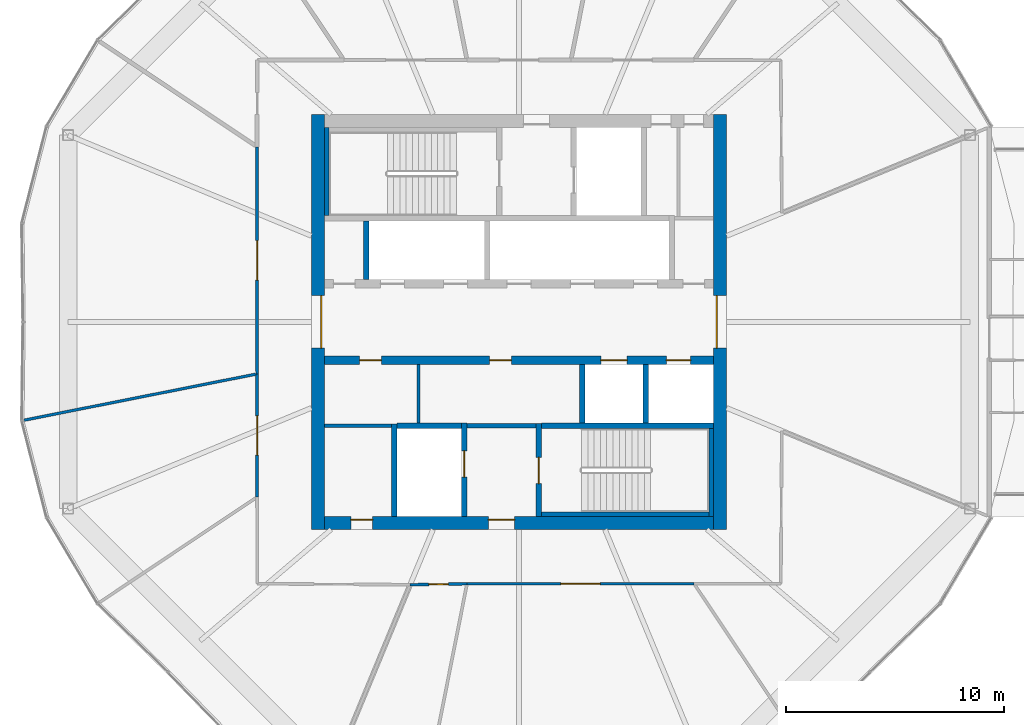
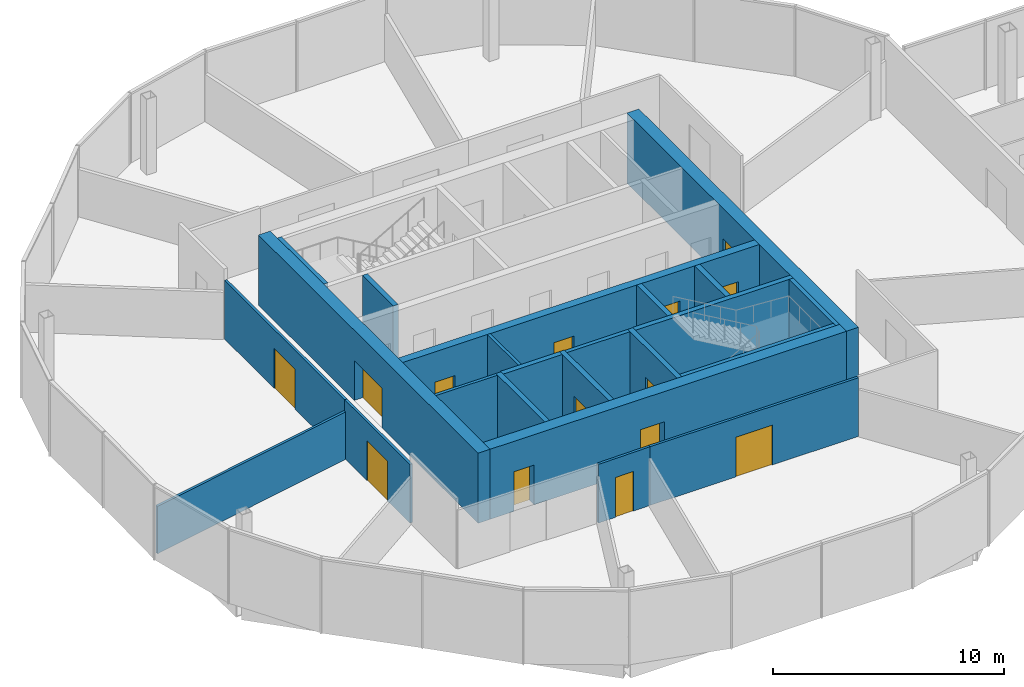
# One storey, part 19 of 25: 23 walls, 14 doors, 14 openings.
"""IFC4 building model written with IfcOpenShell, lengths in metres."""

from ifc_helpers import new_model, si_unit, direction, frame, frame_2d, origin, place, context, subcontext, project, spatial, rectangle, extrude, material, layer, layer_set, type_object, element, fill, save


model = new_model("IFC4")

# Units and contexts
model_context = context("Model", 3, precision=1e-05, world=origin(), true_north=direction((0.0, 1.0)))
body_context = subcontext(model_context, "Body", "Model", "MODEL_VIEW")
ifc_project = project(units=[si_unit("LENGTHUNIT", "METRE"), si_unit("AREAUNIT", "SQUARE_METRE"), si_unit("VOLUMEUNIT", "CUBIC_METRE"), si_unit("PLANEANGLEUNIT", "RADIAN"), si_unit("MASSUNIT", "GRAM", prefix="KILO")], contexts=[model_context])

# Site, building, storey
site_placement = place(None, origin())
site = spatial("IfcSite", under=ifc_project, at=site_placement, CompositionType="ELEMENT")
building_placement = place(site_placement, origin())
building = spatial("IfcBuilding", under=site, at=building_placement, Name="Ogive Gate Towers", CompositionType="ELEMENT")
storey_placement = place(building_placement, frame((0.0, 0.0, 144.800048828125)))
storey = spatial("IfcBuildingStorey", under=building, at=storey_placement, Name="L34", CompositionType="ELEMENT", Elevation=144.800048828125)

# Wall
ifc_material_1 = material(Name="Masonry blockwork", Category="masonry")
ifc_layer_1 = layer(ifc_material_1, 0.199951171875)
ifc_layer_set_1 = layer_set([ifc_layer_1], Name="Blockwork wall 200 mm")
wall_type_1 = type_object("IfcWallType", Name="Blockwork wall 200 mm", PredefinedType="PARTITIONING", material=ifc_layer_set_1)
wall_1_placement = place(storey_placement, frame((-38.375, -4.75, 0.0), z_axis=(0.0, 0.0, 1.0), x_axis=(1.0, 0.0, 0.0)))
element("IfcWall", 1, at=wall_1_placement, inside=storey, type_object=wall_type_1, Name="T1 L34 Blockwork wall 200 mm", PredefinedType="PARTITIONING", context=body_context, shape_type="SweptSolid", body=[
    extrude(rectangle(XDim=3.14990234375, YDim=0.199951171875, at=frame_2d((1.574951171875, 0.0))), origin(), (0.0, 0.0, 1.0), 3.699951171875),
])

# Wall, openings, doors
ifc_material_2 = material(Name="Concrete C60/75", Category="concrete")
ifc_layer_2 = layer(ifc_material_2, 0.60009765625)
ifc_layer_set_2 = layer_set([ifc_layer_2], Name="Core wall 600 mm")
wall_type_2 = type_object("IfcWallType", Name="Core wall 600 mm", PredefinedType="SHEAR", material=ifc_layer_set_2)
wall_2_placement = place(storey_placement, frame((-44.89990234375, -9.199951171875, 0.0), z_axis=(0.0, 0.0, 1.0), x_axis=(1.0, 0.0, 0.0)))
wall_2 = element("IfcWall", 2, at=wall_2_placement, inside=storey, type_object=wall_type_2, Name="T1 L34 Core wall 600 mm", PredefinedType="SHEAR", context=body_context, shape_type="SweptSolid", body=[
    extrude(rectangle(XDim=17.7998046875, YDim=0.60009765625, at=frame_2d((8.89990234375, 0.0))), origin(), (0.0, 0.0, 1.0), 3.699951171875),
])
opening_1_placement = place(wall_2_placement, frame((7.5, 0.0, 0.0)))
opening_1 = element("IfcOpeningElement", 3, at=opening_1_placement, cuts=wall_2, Name="Opening KD-T1-L34-19", PredefinedType="OPENING", context=body_context, shape_type="SweptSolid", body=[
    extrude(rectangle(XDim=1.199951171875, YDim=2.10009765625, at=frame_2d((0.60009765625, 1.050048828125))), frame((0.0, 0.31005859375, 0.0), z_axis=(0.0, -1.0, 0.0), x_axis=(1.0, 0.0, 0.0)), (0.0, 0.0, 1.0), 0.6201171875),
])
opening_2_placement = place(wall_2_placement, frame((1.199951171875, 0.0, 0.0)))
opening_2 = element("IfcOpeningElement", 4, at=opening_2_placement, cuts=wall_2, Name="Opening KD-T1-L34-22", PredefinedType="OPENING", context=body_context, shape_type="SweptSolid", body=[
    extrude(rectangle(XDim=1.0, YDim=2.10009765625, at=frame_2d((0.5, 1.050048828125))), frame((0.0, 0.31005859375, 0.0), z_axis=(0.0, -1.0, 0.0), x_axis=(1.0, 0.0, 0.0)), (0.0, 0.0, 1.0), 0.6201171875),
])
ifc_material_3 = material(Name="Timber door", Category="wood")
door_type_1 = type_object("IfcDoorType", Name="Accessible WC door 1000 x 2100", OperationType="NOTDEFINED", PredefinedType="DOOR", material=ifc_material_3)
door_1_placement = place(opening_2_placement, origin())
door_1 = element("IfcDoor", 5, at=door_1_placement, inside=storey, type_object=door_type_1, Name="T1 L34 Core door", OperationType="SINGLE_SWING_LEFT", OverallHeight=2.10009765625, OverallWidth=1.0, PredefinedType="DOOR", context=body_context, shape_type="SweptSolid", body=[
    extrude(rectangle(XDim=1.0, YDim=2.10009765625, at=frame_2d((0.5, 1.050048828125))), frame((0.0, 0.1748046875, 0.0), z_axis=(0.0, -1.0, 0.0), x_axis=(1.0, 0.0, 0.0)), (0.0, 0.0, 1.0), 0.050048828125),
])
fill(opening_2, door_1)
ifc_material_4 = material(Name="Steel fire door", Category="steel")
door_type_2 = type_object("IfcDoorType", Name="Core door FD60S 1200 x 2100", OperationType="NOTDEFINED", PredefinedType="DOOR", material=ifc_material_4)
door_2_placement = place(opening_1_placement, origin())
door_2 = element("IfcDoor", 6, at=door_2_placement, inside=storey, type_object=door_type_2, Name="T1 L34 Fire-fighting lobby door", OperationType="SINGLE_SWING_RIGHT", OverallHeight=2.10009765625, OverallWidth=1.199951171875, PredefinedType="DOOR", context=body_context, shape_type="SweptSolid", body=[
    extrude(rectangle(XDim=1.199951171875, YDim=2.10009765625, at=frame_2d((0.60009765625, 1.050048828125))), frame((0.0, 0.1748046875, 0.0), z_axis=(0.0, -1.0, 0.0), x_axis=(1.0, 0.0, 0.0)), (0.0, 0.0, 1.0), 0.050048828125),
])
fill(opening_1, door_2)

# Wall, opening, door
wall_3_placement = place(storey_placement, frame((-45.199951171875, -9.5, 0.0), z_axis=(0.0, 0.0, 1.0), x_axis=(0.0, 1.0, 0.0)))
wall_3 = element("IfcWall", 7, at=wall_3_placement, inside=storey, type_object=wall_type_2, Name="T1 L34 Core wall 600 mm", PredefinedType="SHEAR", context=body_context, shape_type="SweptSolid", body=[
    extrude(rectangle(XDim=19.0, YDim=0.60009765625, at=frame_2d((9.5, 0.0))), origin(), (0.0, 0.0, 1.0), 3.699951171875),
])
opening_3_placement = place(wall_3_placement, frame((8.300048828125, 0.0, 0.0)))
opening_3 = element("IfcOpeningElement", 8, at=opening_3_placement, cuts=wall_3, Name="Opening KD-T1-L34-01", PredefinedType="OPENING", context=body_context, shape_type="SweptSolid", body=[
    extrude(rectangle(XDim=2.39990234375, YDim=2.10009765625, at=frame_2d((1.199951171875, 1.050048828125))), frame((0.0, 0.31005859375, 0.0), z_axis=(0.0, -1.0, 0.0), x_axis=(1.0, 0.0, 0.0)), (0.0, 0.0, 1.0), 0.6201171875),
])
door_type_3 = type_object("IfcDoorType", Name="Core double door FD60S 2400 x 2100", OperationType="DOUBLE_DOOR_SINGLE_SWING", PredefinedType="DOOR", material=ifc_material_4)
door_3_placement = place(opening_3_placement, origin())
door_3 = element("IfcDoor", 9, at=door_3_placement, inside=storey, type_object=door_type_3, Name="T1 L34 Core door double", OperationType="DOUBLE_DOOR_SINGLE_SWING", OverallHeight=2.10009765625, OverallWidth=2.39990234375, PredefinedType="DOOR", context=body_context, shape_type="SweptSolid", body=[
    extrude(rectangle(XDim=2.39990234375, YDim=2.10009765625, at=frame_2d((1.199951171875, 1.050048828125))), frame((0.0, -0.125, 0.0), z_axis=(0.0, -1.0, 0.0), x_axis=(1.0, 0.0, 0.0)), (0.0, 0.0, 1.0), 0.050048828125),
])
fill(opening_3, door_3)

wall_4_placement = place(storey_placement, frame((-26.800048828125, -9.5, 0.0), z_axis=(0.0, 0.0, 1.0), x_axis=(0.0, 1.0, 0.0)))
wall_4 = element("IfcWall", 10, at=wall_4_placement, inside=storey, type_object=wall_type_2, Name="T1 L34 Core wall 600 mm", PredefinedType="SHEAR", context=body_context, shape_type="SweptSolid", body=[
    extrude(rectangle(XDim=19.0, YDim=0.60009765625, at=frame_2d((9.5, 0.0))), origin(), (0.0, 0.0, 1.0), 3.699951171875),
])
opening_4_placement = place(wall_4_placement, frame((8.300048828125, 0.0, 0.0)))
opening_4 = element("IfcOpeningElement", 11, at=opening_4_placement, cuts=wall_4, Name="Opening KD-T1-L34-02", PredefinedType="OPENING", context=body_context, shape_type="SweptSolid", body=[
    extrude(rectangle(XDim=2.39990234375, YDim=2.10009765625, at=frame_2d((1.199951171875, 1.050048828125))), frame((0.0, 0.31005859375, 0.0), z_axis=(0.0, -1.0, 0.0), x_axis=(1.0, 0.0, 0.0)), (0.0, 0.0, 1.0), 0.6201171875),
])
door_4_placement = place(opening_4_placement, origin())
door_4 = element("IfcDoor", 12, at=door_4_placement, inside=storey, type_object=door_type_3, Name="T1 L34 Core door double", OperationType="DOUBLE_DOOR_SINGLE_SWING", OverallHeight=2.10009765625, OverallWidth=2.39990234375, PredefinedType="DOOR", context=body_context, shape_type="SweptSolid", body=[
    extrude(rectangle(XDim=2.39990234375, YDim=2.10009765625, at=frame_2d((1.199951171875, 1.050048828125))), frame((0.0, 0.1748046875, 0.0), z_axis=(0.0, -1.0, 0.0), x_axis=(1.0, 0.0, 0.0)), (0.0, 0.0, 1.0), 0.050048828125),
])
fill(opening_4, door_4)

# Wall
ifc_material_5 = material(Name="Gypsum board partition")
ifc_layer_3 = layer(ifc_material_5, 0.125)
ifc_layer_set_3 = layer_set([ifc_layer_3], Name="Partition 125")
wall_type_3 = type_object("IfcWallType", Name="Partition 125", PredefinedType="PARTITIONING", material=ifc_layer_set_3)
wall_5_placement = place(storey_placement, frame((-58.6572265625, -4.498779296875, 0.0), z_axis=(0.0, 0.0, 1.0), x_axis=(0.980854043256, 0.194744308846, 0.0)))
element("IfcWall", 13, at=wall_5_placement, inside=storey, type_object=wall_type_3, Name="Partition T1-L34-007", PredefinedType="PARTITIONING", context=body_context, shape_type="SweptSolid", body=[
    extrude(rectangle(XDim=10.81640625, YDim=0.125, at=frame_2d((5.408203125, 0.0))), origin(), (0.0, 0.0, 1.0), 2.5),
])

# Wall, opening, door
wall_6_placement = place(storey_placement, frame((-47.987548828125, 8.015625, 0.0), z_axis=(0.0, 0.0, 1.0), x_axis=(9.3938611e-05, -0.999999995588, 0.0)))
wall_6 = element("IfcWall", 14, at=wall_6_placement, inside=storey, type_object=wall_type_3, Name="Partition T1-L34-020", PredefinedType="PARTITIONING", context=body_context, shape_type="SweptSolid", body=[
    extrude(rectangle(XDim=10.395751953125, YDim=0.125, at=frame_2d((5.19775390625, 0.0))), origin(), (0.0, 0.0, 1.0), 3.099853515625),
])
opening_5_placement = place(wall_6_placement, frame((4.298095703125, 0.0, 0.0)))
opening_5 = element("IfcOpeningElement", 15, at=opening_5_placement, cuts=wall_6, Name="Opening T1-L34-D06", PredefinedType="OPENING", context=body_context, shape_type="SweptSolid", body=[
    extrude(rectangle(XDim=1.800048828125, YDim=2.10009765625, at=frame_2d((0.89990234375, 1.050048828125))), frame((0.0, 0.072509765625, 0.0), z_axis=(0.0, -1.0, 0.0), x_axis=(1.0, 0.0, 0.0)), (0.0, 0.0, 1.0), 0.14501953125),
])
door_type_4 = type_object("IfcDoorType", Name="Door pair 1800", OperationType="NOTDEFINED", PredefinedType="DOOR", material=ifc_material_3)
door_5_placement = place(opening_5_placement, origin())
door_5 = element("IfcDoor", 16, at=door_5_placement, inside=storey, type_object=door_type_4, Name="Door T1-L34-D06", OperationType="DOUBLE_DOOR_DOUBLE_SWING", OverallHeight=2.10009765625, OverallWidth=1.800048828125, PredefinedType="DOOR", context=body_context, shape_type="SweptSolid", body=[
    extrude(rectangle(XDim=1.800048828125, YDim=2.10009765625, at=frame_2d((0.89990234375, 1.050048828125))), frame((0.0, 0.02490234375, 0.0), z_axis=(0.0, -1.0, 0.0), x_axis=(1.0, 0.0, 0.0)), (0.0, 0.0, 1.0), 0.050048828125),
])
fill(opening_5, door_5)

wall_7_placement = place(storey_placement, frame((-47.986572265625, -2.380126953125, 0.0), z_axis=(0.0, 0.0, 1.0), x_axis=(-0.000173287698, -0.999999984986, 0.0)))
wall_7 = element("IfcWall", 17, at=wall_7_placement, inside=storey, type_object=wall_type_3, Name="Partition T1-L34-021", PredefinedType="PARTITIONING", context=body_context, shape_type="SweptSolid", body=[
    extrude(rectangle(XDim=5.635498046875, YDim=0.125, at=frame_2d((2.81787109375, 0.0))), origin(), (0.0, 0.0, 1.0), 3.099853515625),
])
opening_6_placement = place(wall_7_placement, frame((1.91796875, 0.0, 0.0)))
opening_6 = element("IfcOpeningElement", 18, at=opening_6_placement, cuts=wall_7, Name="Opening T1-L34-D07", PredefinedType="OPENING", context=body_context, shape_type="SweptSolid", body=[
    extrude(rectangle(XDim=1.800048828125, YDim=2.10009765625, at=frame_2d((0.89990234375, 1.050048828125))), frame((0.0, 0.072509765625, 0.0), z_axis=(0.0, -1.0, 0.0), x_axis=(1.0, 0.0, 0.0)), (0.0, 0.0, 1.0), 0.14501953125),
])
door_6_placement = place(opening_6_placement, origin())
door_6 = element("IfcDoor", 19, at=door_6_placement, inside=storey, type_object=door_type_4, Name="Door T1-L34-D07", OperationType="DOUBLE_DOOR_DOUBLE_SWING", OverallHeight=2.10009765625, OverallWidth=1.800048828125, PredefinedType="DOOR", context=body_context, shape_type="SweptSolid", body=[
    extrude(rectangle(XDim=1.800048828125, YDim=2.10009765625, at=frame_2d((0.89990234375, 1.050048828125))), frame((0.0, 0.02490234375, 0.0), z_axis=(0.0, -1.0, 0.0), x_axis=(1.0, 0.0, 0.0)), (0.0, 0.0, 1.0), 0.050048828125),
])
fill(opening_6, door_6)

wall_8_placement = place(storey_placement, frame((-40.98291015625, -12.02978515625, 0.0), z_axis=(0.0, 0.0, 1.0), x_axis=(0.999862205819, 0.016600282378, 0.0)))
wall_8 = element("IfcWall", 20, at=wall_8_placement, inside=storey, type_object=wall_type_3, Name="Partition T1-L34-024", PredefinedType="PARTITIONING", context=body_context, shape_type="SweptSolid", body=[
    extrude(rectangle(XDim=2.60302734375, YDim=0.125, at=frame_2d((1.301513671875, 0.0))), origin(), (0.0, 0.0, 1.0), 3.099853515625),
])
opening_7_placement = place(wall_8_placement, frame((0.85205078125, 0.0, 0.0)))
opening_7 = element("IfcOpeningElement", 21, at=opening_7_placement, cuts=wall_8, Name="Opening T1-L34-D09", PredefinedType="OPENING", context=body_context, shape_type="SweptSolid", body=[
    extrude(rectangle(XDim=0.89990234375, YDim=2.10009765625, at=frame_2d((0.449951171875, 1.050048828125))), frame((0.0, 0.072509765625, 0.0), z_axis=(0.0, -1.0, 0.0), x_axis=(1.0, 0.0, 0.0)), (0.0, 0.0, 1.0), 0.14501953125),
])
door_type_5 = type_object("IfcDoorType", Name="Door 900", OperationType="NOTDEFINED", PredefinedType="DOOR", material=ifc_material_3)
door_7_placement = place(opening_7_placement, origin())
door_7 = element("IfcDoor", 22, at=door_7_placement, inside=storey, type_object=door_type_5, Name="Door T1-L34-D09", OperationType="SINGLE_SWING_LEFT", OverallHeight=2.10009765625, OverallWidth=0.89990234375, PredefinedType="DOOR", context=body_context, shape_type="SweptSolid", body=[
    extrude(rectangle(XDim=0.89990234375, YDim=2.10009765625, at=frame_2d((0.449951171875, 1.050048828125))), frame((0.0, 0.02490234375, 0.0), z_axis=(0.0, -1.0, 0.0), x_axis=(1.0, 0.0, 0.0)), (0.0, 0.0, 1.0), 0.050048828125),
])
fill(opening_7, door_7)

wall_9_placement = place(storey_placement, frame((-38.380126953125, -11.986572265625, 0.0), z_axis=(0.0, 0.0, 1.0), x_axis=(0.999999995588, -9.3938611e-05, 0.0)))
wall_9 = element("IfcWall", 23, at=wall_9_placement, inside=storey, type_object=wall_type_3, Name="Partition T1-L34-025", PredefinedType="PARTITIONING", context=body_context, shape_type="SweptSolid", body=[
    extrude(rectangle(XDim=10.395751953125, YDim=0.125, at=frame_2d((5.19775390625, 0.0))), origin(), (0.0, 0.0, 1.0), 3.099853515625),
])
opening_8_placement = place(wall_9_placement, frame((4.298095703125, 0.0, 0.0)))
opening_8 = element("IfcOpeningElement", 24, at=opening_8_placement, cuts=wall_9, Name="Opening T1-L34-D10", PredefinedType="OPENING", context=body_context, shape_type="SweptSolid", body=[
    extrude(rectangle(XDim=1.800048828125, YDim=2.10009765625, at=frame_2d((0.89990234375, 1.050048828125))), frame((0.0, 0.072509765625, 0.0), z_axis=(0.0, -1.0, 0.0), x_axis=(1.0, 0.0, 0.0)), (0.0, 0.0, 1.0), 0.14501953125),
])
door_8_placement = place(opening_8_placement, origin())
door_8 = element("IfcDoor", 25, at=door_8_placement, inside=storey, type_object=door_type_4, Name="Door T1-L34-D10", OperationType="DOUBLE_DOOR_DOUBLE_SWING", OverallHeight=2.10009765625, OverallWidth=1.800048828125, PredefinedType="DOOR", context=body_context, shape_type="SweptSolid", body=[
    extrude(rectangle(XDim=1.800048828125, YDim=2.10009765625, at=frame_2d((0.89990234375, 1.050048828125))), frame((0.0, 0.02490234375, 0.0), z_axis=(0.0, -1.0, 0.0), x_axis=(1.0, 0.0, 0.0)), (0.0, 0.0, 1.0), 0.050048828125),
])
fill(opening_8, door_8)

# Walls
ifc_layer_4 = layer(ifc_material_5, 0.14990234375)
ifc_layer_set_4 = layer_set([ifc_layer_4], Name="Room partition 150 mm")
wall_type_4 = type_object("IfcWallType", Name="Room partition 150 mm", PredefinedType="PARTITIONING", material=ifc_layer_set_4)
wall_10_placement = place(storey_placement, frame((-44.89990234375, -4.75, 0.0), z_axis=(0.0, 0.0, 1.0), x_axis=(1.0, 0.0, 0.0)))
element("IfcWall", 26, at=wall_10_placement, inside=storey, type_object=wall_type_4, Name="T1 L34 Room partition 150 mm", PredefinedType="PARTITIONING", context=body_context, shape_type="SweptSolid", body=[
    extrude(rectangle(XDim=3.074951171875, YDim=0.14990234375, at=frame_2d((1.53759765625, 0.0))), origin(), (0.0, 0.0, 1.0), 3.699951171875),
])
wall_11_placement = place(storey_placement, frame((-40.60009765625, -4.625, 0.0), z_axis=(0.0, 0.0, 1.0), x_axis=(0.0, 1.0, 0.0)))
element("IfcWall", 27, at=wall_11_placement, inside=storey, type_object=wall_type_4, Name="T1 L34 Room partition 150 mm", PredefinedType="PARTITIONING", context=body_context, shape_type="SweptSolid", body=[
    extrude(rectangle(XDim=2.675048828125, YDim=0.14990234375, at=frame_2d((1.33740234375, 0.0))), origin(), (0.0, 0.0, 1.0), 3.699951171875),
])
ifc_layer_5 = layer(ifc_material_2, 0.25)
ifc_layer_set_5 = layer_set([ifc_layer_5], Name="Shaft wall 250 mm")
wall_type_5 = type_object("IfcWallType", Name="Shaft wall 250 mm", PredefinedType="SHEAR", material=ifc_layer_set_5)
wall_12_placement = place(storey_placement, frame((-41.574951171875, -4.75, 0.0), z_axis=(0.0, 0.0, 1.0), x_axis=(1.0, 0.0, 0.0)))
element("IfcWall", 28, at=wall_12_placement, inside=storey, type_object=wall_type_5, Name="T1 L34 Shaft wall 250 mm", PredefinedType="SHEAR", context=body_context, shape_type="SweptSolid", body=[
    extrude(rectangle(XDim=2.949951171875, YDim=0.25, at=frame_2d((1.47509765625, 0.0))), origin(), (0.0, 0.0, 1.0), 3.699951171875),
])
wall_13_placement = place(storey_placement, frame((-34.97509765625, -4.75, 0.0), z_axis=(0.0, 0.0, 1.0), x_axis=(1.0, 0.0, 0.0)))
element("IfcWall", 29, at=wall_13_placement, inside=storey, type_object=wall_type_5, Name="T1 L34 Shaft wall 250 mm", PredefinedType="SHEAR", context=body_context, shape_type="SweptSolid", body=[
    extrude(rectangle(XDim=7.875, YDim=0.25, at=frame_2d((3.9375, 0.0))), origin(), (0.0, 0.0, 1.0), 3.699951171875),
])
wall_14_placement = place(storey_placement, frame((-43.0, 1.949951171875, 0.0), z_axis=(0.0, 0.0, 1.0), x_axis=(0.0, 1.0, 0.0)))
element("IfcWall", 30, at=wall_14_placement, inside=storey, type_object=wall_type_5, Name="T1 L34 Shaft wall 250 mm", PredefinedType="SHEAR", context=body_context, shape_type="SweptSolid", body=[
    extrude(rectangle(XDim=2.675048828125, YDim=0.25, at=frame_2d((1.33740234375, 0.0))), origin(), (0.0, 0.0, 1.0), 3.699951171875),
])
wall_15_placement = place(storey_placement, frame((-41.699951171875, -8.89990234375, 0.0), z_axis=(0.0, 0.0, 1.0), x_axis=(0.0, 1.0, 0.0)))
element("IfcWall", 31, at=wall_15_placement, inside=storey, type_object=wall_type_5, Name="T1 L34 Shaft wall 250 mm", PredefinedType="SHEAR", context=body_context, shape_type="SweptSolid", body=[
    extrude(rectangle(XDim=4.224853515625, YDim=0.25, at=frame_2d((2.1123046875, 0.0))), origin(), (0.0, 0.0, 1.0), 3.699951171875),
])

# Wall, opening, door
wall_16_placement = place(storey_placement, frame((-38.5, -8.89990234375, 0.0), z_axis=(0.0, 0.0, 1.0), x_axis=(0.0, 1.0, 0.0)))
wall_16 = element("IfcWall", 32, at=wall_16_placement, inside=storey, type_object=wall_type_5, Name="T1 L34 Shaft wall 250 mm", PredefinedType="SHEAR", context=body_context, shape_type="SweptSolid", body=[
    extrude(rectangle(XDim=4.27490234375, YDim=0.25, at=frame_2d((2.137451171875, 0.0))), origin(), (0.0, 0.0, 1.0), 3.699951171875),
])
opening_9_placement = place(wall_16_placement, frame((1.800048828125, 0.0, 0.0)))
opening_9 = element("IfcOpeningElement", 33, at=opening_9_placement, cuts=wall_16, Name="Opening LD-T1-L34-13", PredefinedType="OPENING", context=body_context, shape_type="SweptSolid", body=[
    extrude(rectangle(XDim=1.199951171875, YDim=2.10009765625, at=frame_2d((0.60009765625, 1.050048828125))), frame((0.0, 0.135009765625, 0.0), z_axis=(0.0, -1.0, 0.0), x_axis=(1.0, 0.0, 0.0)), (0.0, 0.0, 1.0), 0.27001953125),
])
ifc_material_6 = material(Name="Stainless steel landing door", Category="steel")
door_type_6 = type_object("IfcDoorType", Name="Landing door 1200 x 2100", OperationType="SLIDING_TO_LEFT", PredefinedType="DOOR", material=ifc_material_6)
door_9_placement = place(opening_9_placement, origin())
door_9 = element("IfcDoor", 34, at=door_9_placement, inside=storey, type_object=door_type_6, Name="T1 L34 Lift landing door FF2", OperationType="SLIDING_TO_LEFT", OverallHeight=2.10009765625, OverallWidth=1.199951171875, PredefinedType="DOOR", context=body_context, shape_type="SweptSolid", body=[
    extrude(rectangle(XDim=1.199951171875, YDim=2.10009765625, at=frame_2d((0.60009765625, 1.050048828125))), frame((0.0, 0.02490234375, 0.0), z_axis=(0.0, -1.0, 0.0), x_axis=(1.0, 0.0, 0.0)), (0.0, 0.0, 1.0), 0.050048828125),
])
fill(opening_9, door_9)

wall_17_placement = place(storey_placement, frame((-35.10009765625, -8.89990234375, 0.0), z_axis=(0.0, 0.0, 1.0), x_axis=(0.0, 1.0, 0.0)))
wall_17 = element("IfcWall", 35, at=wall_17_placement, inside=storey, type_object=wall_type_5, Name="T1 L34 Shaft wall 250 mm", PredefinedType="SHEAR", context=body_context, shape_type="SweptSolid", body=[
    extrude(rectangle(XDim=4.25, YDim=0.25, at=frame_2d((2.125, 0.0))), origin(), (0.0, 0.0, 1.0), 3.699951171875),
])
opening_10_placement = place(wall_17_placement, frame((1.5, 0.0, 0.0)))
opening_10 = element("IfcOpeningElement", 36, at=opening_10_placement, cuts=wall_17, Name="Opening KD-T1-L34-17", PredefinedType="OPENING", context=body_context, shape_type="SweptSolid", body=[
    extrude(rectangle(XDim=1.199951171875, YDim=2.10009765625, at=frame_2d((0.60009765625, 1.050048828125))), frame((0.0, 0.135009765625, 0.0), z_axis=(0.0, -1.0, 0.0), x_axis=(1.0, 0.0, 0.0)), (0.0, 0.0, 1.0), 0.27001953125),
])
door_10_placement = place(opening_10_placement, origin())
door_10 = element("IfcDoor", 37, at=door_10_placement, inside=storey, type_object=door_type_2, Name="T1 L34 Stair door", OperationType="SINGLE_SWING_RIGHT", OverallHeight=2.10009765625, OverallWidth=1.199951171875, PredefinedType="DOOR", context=body_context, shape_type="SweptSolid", body=[
    extrude(rectangle(XDim=1.199951171875, YDim=2.10009765625, at=frame_2d((0.60009765625, 1.050048828125))), frame((0.0, 0.02490234375, 0.0), z_axis=(0.0, -1.0, 0.0), x_axis=(1.0, 0.0, 0.0)), (0.0, 0.0, 1.0), 0.050048828125),
])
fill(opening_10, door_10)

# Walls
for number, where, z_axis, x_axis, name in (
    (38, (-33.10009765625, -4.625, 0.0), (0.0, 0.0, 1.0), (0.0, 1.0, 0.0), "T1 L34 Shaft wall 250 mm"),
    (39, (-30.199951171875, -4.625, 0.0), (0.0, 0.0, 1.0), (0.0, 1.0, 0.0), "T1 L34 Shaft wall 250 mm"),
):
    element("IfcWall", number, at=place(storey_placement, frame(where, z_axis=z_axis, x_axis=x_axis)), inside=storey, type_object=wall_type_5, Name=name, PredefinedType="SHEAR", context=body_context, shape_type="SweptSolid", body=[
        extrude(rectangle(XDim=2.675048828125, YDim=0.25, at=frame_2d((1.33740234375, 0.0))), origin(), (0.0, 0.0, 1.0), 3.699951171875),
    ])

# Wall, openings, doors
ifc_layer_6 = layer(ifc_material_2, 0.39990234375)
ifc_layer_set_6 = layer_set([ifc_layer_6], Name="Spine wall 400 mm")
wall_type_6 = type_object("IfcWallType", Name="Spine wall 400 mm", PredefinedType="SHEAR", material=ifc_layer_set_6)
wall_18_placement = place(storey_placement, frame((-44.89990234375, -1.75, 0.0), z_axis=(0.0, 0.0, 1.0), x_axis=(1.0, 0.0, 0.0)))
wall_18 = element("IfcWall", 40, at=wall_18_placement, inside=storey, type_object=wall_type_6, Name="T1 L34 Spine wall 400 mm", PredefinedType="SHEAR", context=body_context, shape_type="SweptSolid", body=[
    extrude(rectangle(XDim=17.7998046875, YDim=0.39990234375, at=frame_2d((8.89990234375, 0.0))), origin(), (0.0, 0.0, 1.0), 3.699951171875),
])
opening_11_placement = place(wall_18_placement, frame((12.64990234375, 0.0, 0.0)))
opening_11 = element("IfcOpeningElement", 41, at=opening_11_placement, cuts=wall_18, Name="Opening LD-T1-L34-10", PredefinedType="OPENING", context=body_context, shape_type="SweptSolid", body=[
    extrude(rectangle(XDim=1.199951171875, YDim=2.10009765625, at=frame_2d((0.60009765625, 1.050048828125))), frame((0.0, 0.2099609375, 0.0), z_axis=(0.0, -1.0, 0.0), x_axis=(1.0, 0.0, 0.0)), (0.0, 0.0, 1.0), 0.419921875),
])
opening_12_placement = place(wall_18_placement, frame((15.64990234375, 0.0, 0.0)))
opening_12 = element("IfcOpeningElement", 42, at=opening_12_placement, cuts=wall_18, Name="Opening LD-T1-L34-11", PredefinedType="OPENING", context=body_context, shape_type="SweptSolid", body=[
    extrude(rectangle(XDim=1.10009765625, YDim=2.10009765625, at=frame_2d((0.550048828125, 1.050048828125))), frame((0.0, 0.2099609375, 0.0), z_axis=(0.0, -1.0, 0.0), x_axis=(1.0, 0.0, 0.0)), (0.0, 0.0, 1.0), 0.419921875),
])
opening_13_placement = place(wall_18_placement, frame((1.60009765625, 0.0, 0.0)))
opening_13 = element("IfcOpeningElement", 43, at=opening_13_placement, cuts=wall_18, Name="Opening KD-T1-L34-14", PredefinedType="OPENING", context=body_context, shape_type="SweptSolid", body=[
    extrude(rectangle(XDim=1.0, YDim=2.10009765625, at=frame_2d((0.5, 1.050048828125))), frame((0.0, 0.2099609375, 0.0), z_axis=(0.0, -1.0, 0.0), x_axis=(1.0, 0.0, 0.0)), (0.0, 0.0, 1.0), 0.419921875),
])
opening_14_placement = place(wall_18_placement, frame((7.550048828125, 0.0, 0.0)))
opening_14 = element("IfcOpeningElement", 44, at=opening_14_placement, cuts=wall_18, Name="Opening KD-T1-L34-15", PredefinedType="OPENING", context=body_context, shape_type="SweptSolid", body=[
    extrude(rectangle(XDim=1.0, YDim=2.10009765625, at=frame_2d((0.5, 1.050048828125))), frame((0.0, 0.2099609375, 0.0), z_axis=(0.0, -1.0, 0.0), x_axis=(1.0, 0.0, 0.0)), (0.0, 0.0, 1.0), 0.419921875),
])
door_type_7 = type_object("IfcDoorType", Name="Core door FD60S 1000 x 2100", OperationType="NOTDEFINED", PredefinedType="DOOR", material=ifc_material_4)
door_11_placement = place(opening_13_placement, origin())
door_11 = element("IfcDoor", 45, at=door_11_placement, inside=storey, type_object=door_type_7, Name="T1 L34 Core door", OperationType="SINGLE_SWING_LEFT", OverallHeight=2.10009765625, OverallWidth=1.0, PredefinedType="DOOR", context=body_context, shape_type="SweptSolid", body=[
    extrude(rectangle(XDim=1.0, YDim=2.10009765625, at=frame_2d((0.5, 1.050048828125))), frame((0.0, 0.02490234375, 0.0), z_axis=(0.0, -1.0, 0.0), x_axis=(1.0, 0.0, 0.0)), (0.0, 0.0, 1.0), 0.050048828125),
])
fill(opening_13, door_11)
door_12_placement = place(opening_14_placement, origin())
door_12 = element("IfcDoor", 46, at=door_12_placement, inside=storey, type_object=door_type_7, Name="T1 L34 Core door", OperationType="SINGLE_SWING_RIGHT", OverallHeight=2.10009765625, OverallWidth=1.0, PredefinedType="DOOR", context=body_context, shape_type="SweptSolid", body=[
    extrude(rectangle(XDim=1.0, YDim=2.10009765625, at=frame_2d((0.5, 1.050048828125))), frame((0.0, 0.02490234375, 0.0), z_axis=(0.0, -1.0, 0.0), x_axis=(1.0, 0.0, 0.0)), (0.0, 0.0, 1.0), 0.050048828125),
])
fill(opening_14, door_12)
door_type_8 = type_object("IfcDoorType", Name="Landing door 1100 x 2100", OperationType="SLIDING_TO_LEFT", PredefinedType="DOOR", material=ifc_material_6)
door_13_placement = place(opening_12_placement, origin())
door_13 = element("IfcDoor", 47, at=door_13_placement, inside=storey, type_object=door_type_8, Name="T1 L34 Lift landing door B6", OperationType="SLIDING_TO_LEFT", OverallHeight=2.10009765625, OverallWidth=1.10009765625, PredefinedType="DOOR", context=body_context, shape_type="SweptSolid", body=[
    extrude(rectangle(XDim=1.10009765625, YDim=2.10009765625, at=frame_2d((0.550048828125, 1.050048828125))), frame((0.0, 0.02490234375, 0.0), z_axis=(0.0, -1.0, 0.0), x_axis=(1.0, 0.0, 0.0)), (0.0, 0.0, 1.0), 0.050048828125),
])
fill(opening_12, door_13)
door_14_placement = place(opening_11_placement, origin())
door_14 = element("IfcDoor", 48, at=door_14_placement, inside=storey, type_object=door_type_6, Name="T1 L34 Lift landing door SVC", OperationType="SLIDING_TO_LEFT", OverallHeight=2.10009765625, OverallWidth=1.199951171875, PredefinedType="DOOR", context=body_context, shape_type="SweptSolid", body=[
    extrude(rectangle(XDim=1.199951171875, YDim=2.10009765625, at=frame_2d((0.60009765625, 1.050048828125))), frame((0.0, 0.02490234375, 0.0), z_axis=(0.0, -1.0, 0.0), x_axis=(1.0, 0.0, 0.0)), (0.0, 0.0, 1.0), 0.050048828125),
])
fill(opening_11, door_14)

# Walls
ifc_layer_7 = layer(ifc_material_2, 0.199951171875)
ifc_layer_set_7 = layer_set([ifc_layer_7], Name="Stair wall 200 mm")
wall_type_7 = type_object("IfcWallType", Name="Stair wall 200 mm", PredefinedType="SHEAR", material=ifc_layer_set_7)
wall_19_placement = place(storey_placement, frame((-34.97509765625, -8.800048828125, 0.0), z_axis=(0.0, 0.0, 1.0), x_axis=(1.0, 0.0, 0.0)))
element("IfcWall", 49, at=wall_19_placement, inside=storey, type_object=wall_type_7, Name="T1 L34 Stair wall 200 mm", PredefinedType="SHEAR", context=body_context, shape_type="SweptSolid", body=[
    extrude(rectangle(XDim=7.675048828125, YDim=0.199951171875, at=frame_2d((3.83740234375, 0.0))), origin(), (0.0, 0.0, 1.0), 3.699951171875),
])
for number, where, z_axis, x_axis, name in (
    (50, (-44.800048828125, 4.875, 0.0), (0.0, 0.0, 1.0), (0.0, 1.0, 0.0), "T1 L34 Stair wall 200 mm"),
    (51, (-27.199951171875, -8.89990234375, 0.0), (0.0, 0.0, 1.0), (0.0, 1.0, 0.0), "T1 L34 Stair wall 200 mm"),
):
    element("IfcWall", number, at=place(storey_placement, frame(where, z_axis=z_axis, x_axis=x_axis)), inside=storey, type_object=wall_type_7, Name=name, PredefinedType="SHEAR", context=body_context, shape_type="SweptSolid", body=[
        extrude(rectangle(XDim=4.02490234375, YDim=0.199951171875, at=frame_2d((2.012451171875, 0.0))), origin(), (0.0, 0.0, 1.0), 3.699951171875),
    ])

save(model, "model.ifc")
